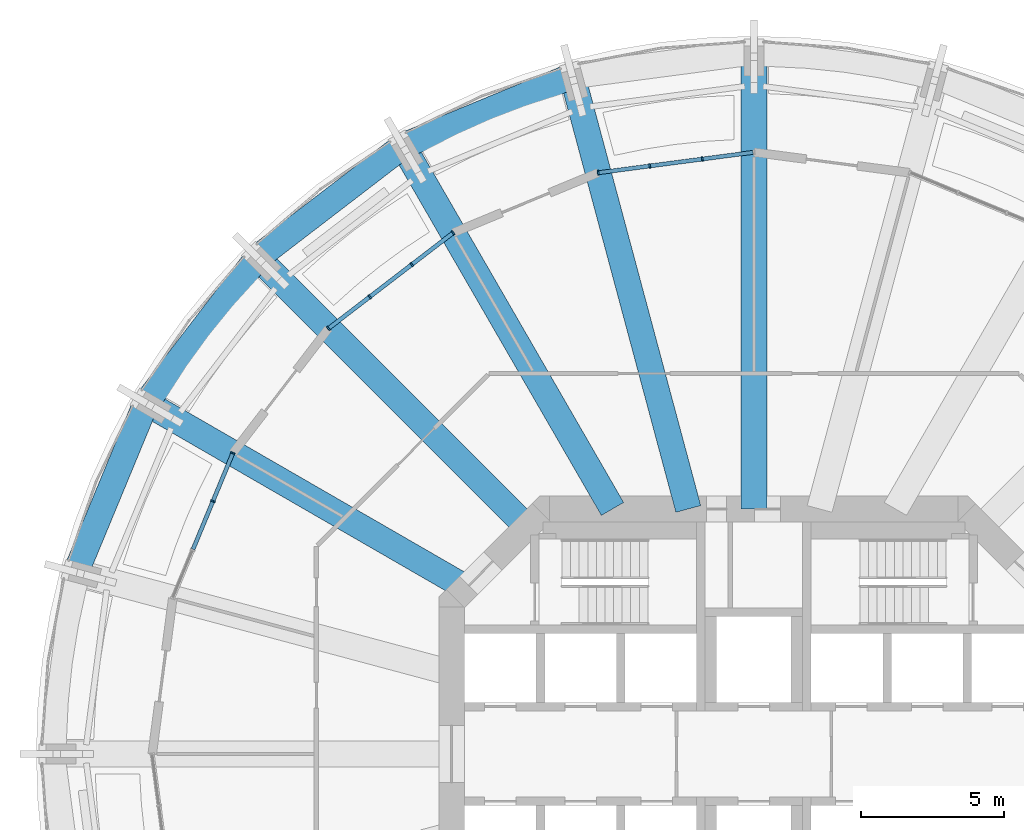
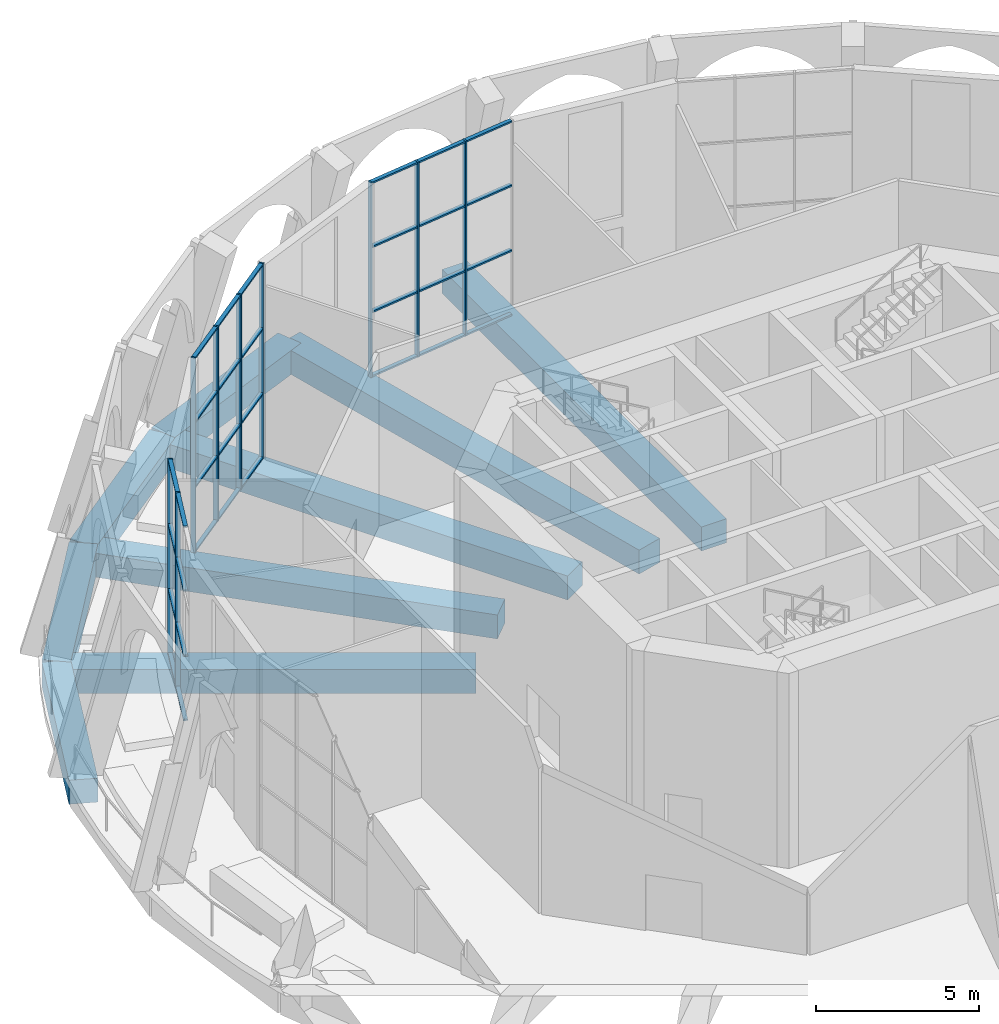
# One storey, part 6 of 18: 41 members, 9 beams, 3 elements without a shape of their own.
"""IFC4 building model written with IfcOpenShell, lengths in metres."""

from ifc_helpers import new_model, si_unit, direction, frame, origin, origin_2d, place, context, subcontext, project, spatial, rectangle, extrude, material, material_profile, profile_set, type_object, element, aggregate, save


model = new_model("IFC4")

# Units and contexts
model_context = context("Model", 3, precision=1e-05, world=origin(), true_north=direction((0.0, 1.0)))
body_context = subcontext(model_context, "Body", "Model", "MODEL_VIEW")
ifc_project = project(units=[si_unit("LENGTHUNIT", "METRE"), si_unit("AREAUNIT", "SQUARE_METRE"), si_unit("VOLUMEUNIT", "CUBIC_METRE"), si_unit("PLANEANGLEUNIT", "RADIAN"), si_unit("MASSUNIT", "GRAM", prefix="KILO")], contexts=[model_context])

# Site, building, storey
site_placement = place(None, origin())
site = spatial("IfcSite", under=ifc_project, at=site_placement, CompositionType="ELEMENT")
building_placement = place(site_placement, origin())
building = spatial("IfcBuilding", under=site, at=building_placement, Name="Torre Triforio", CompositionType="ELEMENT")
storey_placement = place(building_placement, frame((0.0, 0.0, 146.60009765625)))
storey = spatial("IfcBuildingStorey", under=building, at=storey_placement, Name="L33", CompositionType="ELEMENT", Elevation=146.60009765625)

# Curtain wall, members
ifc_material_1 = material(Name="Aluminium mullion and transom frame with clear laminated glass", Category="aluminium")
curtain_wall_type = type_object("IfcCurtainWallType", Name="Sky garden conservatory wall ECW3", PredefinedType="NOTDEFINED", material=ifc_material_1)
curtain_wall_1_placement = place(storey_placement, origin())
curtain_wall_1 = element("IfcCurtainWall", 1, at=curtain_wall_1_placement, inside=storey, type_object=curtain_wall_type, Name="Conservatory wall L33 bay 07", PredefinedType="NOTDEFINED")
ifc_material_2 = material(Name="Anodised aluminium extrusion", Category="aluminium")
ifc_material_profile_1 = material_profile(ifc_material_2, rectangle(XDim=0.159912109375, YDim=0.06005859375, at=origin_2d()), Name="ECW3 MULLION 60x160")
ifc_profile_set_1 = profile_set([ifc_material_profile_1], Name="Anodised aluminium extrusion")
member_type_1 = type_object("IfcMemberType", Name="ECW3 mullion 60 x 160", PredefinedType="MULLION", material=ifc_profile_set_1)
member_1_placement = place(storey_placement, frame((-1.8017578125, 20.7626953125, 0.0), z_axis=(0.0, 0.0, 1.0), x_axis=(0.130530127386, -0.991444343291, 0.0)))
member_1 = element("IfcMember", 2, at=member_1_placement, type_object=member_type_1, Name="ECW3 mullion 2", PredefinedType="MULLION", context=body_context, shape_type="SweptSolid", body=[
    extrude(rectangle(XDim=0.159912109375, YDim=0.06005859375, at=origin_2d()), origin(), (0.0, 0.0, 1.0), 7.31982421875),
])
member_2_placement = place(storey_placement, frame((-3.63330078125, 20.521728515625, 0.0), z_axis=(0.0, 0.0, 1.0), x_axis=(0.130530127386, -0.991444343291, 0.0)))
member_2 = element("IfcMember", 3, at=member_2_placement, type_object=member_type_1, Name="ECW3 mullion 3", PredefinedType="MULLION", context=body_context, shape_type="SweptSolid", body=[
    extrude(rectangle(XDim=0.159912109375, YDim=0.06005859375, at=origin_2d()), origin(), (0.0, 0.0, 1.0), 7.31982421875),
])
member_3_placement = place(storey_placement, frame((-5.43505859375, 20.284423828125, 0.0), z_axis=(0.0, 0.0, 1.0), x_axis=(0.130530127386, -0.991444343291, 0.0)))
member_3 = element("IfcMember", 4, at=member_3_placement, type_object=member_type_1, Name="ECW3 mullion 4", PredefinedType="MULLION", context=body_context, shape_type="SweptSolid", body=[
    extrude(rectangle(XDim=0.159912109375, YDim=0.06005859375, at=origin_2d()), origin(), (0.0, 0.0, 1.0), 7.31982421875),
])

curtain_wall_2_placement = place(storey_placement, origin())
curtain_wall_2 = element("IfcCurtainWall", 5, at=curtain_wall_2_placement, inside=storey, type_object=curtain_wall_type, Name="Conservatory wall L33 bay 09", PredefinedType="NOTDEFINED")
member_4_placement = place(storey_placement, frame((-10.5, 18.1865234375, 0.0), z_axis=(0.0, 0.0, 1.0), x_axis=(0.608763325538, -0.793351885029, 0.0)))
member_4 = element("IfcMember", 6, at=member_4_placement, type_object=member_type_1, Name="ECW3 mullion 1", PredefinedType="MULLION", context=body_context, shape_type="SweptSolid", body=[
    extrude(rectangle(XDim=0.159912109375, YDim=0.06005859375, at=origin_2d()), origin(), (0.0, 0.0, 1.0), 7.31982421875),
])
member_5_placement = place(storey_placement, frame((-11.94189453125, 17.080078125, 0.0), z_axis=(0.0, 0.0, 1.0), x_axis=(0.608763325538, -0.793351885029, 0.0)))
member_5 = element("IfcMember", 7, at=member_5_placement, type_object=member_type_1, Name="ECW3 mullion 2", PredefinedType="MULLION", context=body_context, shape_type="SweptSolid", body=[
    extrude(rectangle(XDim=0.159912109375, YDim=0.06005859375, at=origin_2d()), origin(), (0.0, 0.0, 1.0), 7.31982421875),
])
member_6_placement = place(storey_placement, frame((-13.407470703125, 15.95556640625, 0.0), z_axis=(0.0, 0.0, 1.0), x_axis=(0.608763325538, -0.793351885029, 0.0)))
member_6 = element("IfcMember", 8, at=member_6_placement, type_object=member_type_1, Name="ECW3 mullion 3", PredefinedType="MULLION", context=body_context, shape_type="SweptSolid", body=[
    extrude(rectangle(XDim=0.159912109375, YDim=0.06005859375, at=origin_2d()), origin(), (0.0, 0.0, 1.0), 7.31982421875),
])
member_7_placement = place(storey_placement, frame((-14.84912109375, 14.849365234375, 0.0), z_axis=(0.0, 0.0, 1.0), x_axis=(0.608763325538, -0.793351885029, 0.0)))
member_7 = element("IfcMember", 9, at=member_7_placement, type_object=member_type_1, Name="ECW3 mullion 4", PredefinedType="MULLION", context=body_context, shape_type="SweptSolid", body=[
    extrude(rectangle(XDim=0.159912109375, YDim=0.06005859375, at=origin_2d()), origin(), (0.0, 0.0, 1.0), 7.31982421875),
])

curtain_wall_3_placement = place(storey_placement, origin())
curtain_wall_3 = element("IfcCurtainWall", 10, at=curtain_wall_3_placement, inside=storey, type_object=curtain_wall_type, Name="Conservatory wall L33 bay 11", PredefinedType="NOTDEFINED")
member_8_placement = place(storey_placement, frame((-18.1865234375, 10.5, 0.0), z_axis=(0.0, 0.0, 1.0), x_axis=(0.923883122974, -0.382674764107, 0.0)))
member_8 = element("IfcMember", 11, at=member_8_placement, type_object=member_type_1, Name="ECW3 mullion 1", PredefinedType="MULLION", context=body_context, shape_type="SweptSolid", body=[
    extrude(rectangle(XDim=0.159912109375, YDim=0.06005859375, at=origin_2d()), origin(), (0.0, 0.0, 1.0), 7.31982421875),
])
member_9_placement = place(storey_placement, frame((-18.882080078125, 8.821044921875, 0.0), z_axis=(0.0, 0.0, 1.0), x_axis=(0.923883122974, -0.382674764107, 0.0)))
member_9 = element("IfcMember", 12, at=member_9_placement, type_object=member_type_1, Name="ECW3 mullion 2", PredefinedType="MULLION", context=body_context, shape_type="SweptSolid", body=[
    extrude(rectangle(XDim=0.159912109375, YDim=0.06005859375, at=origin_2d()), origin(), (0.0, 0.0, 1.0), 7.31982421875),
])

# Member
ifc_material_profile_2 = material_profile(ifc_material_2, rectangle(XDim=0.139892578125, YDim=0.06005859375, at=origin_2d()), Name="ECW3 TRANSOM 60x140")
ifc_profile_set_2 = profile_set([ifc_material_profile_2], Name="Anodised aluminium extrusion")
member_type_2 = type_object("IfcMemberType", Name="ECW3 transom 60 x 140", PredefinedType="USERDEFINED", material=ifc_profile_set_2)
member_10_placement = place(storey_placement, frame((-0.02978515625, 20.99609375, 0.02978515625), z_axis=(-0.991435369623, -0.130598268981, 0.0), x_axis=(0.130598268981, -0.991435369623, 0.0)))
member_10 = element("IfcMember", 13, at=member_10_placement, type_object=member_type_2, Name="ECW3 transom 1.1", ObjectType="TRANSOM", PredefinedType="USERDEFINED", context=body_context, shape_type="SweptSolid", body=[
    extrude(rectangle(XDim=0.139892578125, YDim=0.06005859375, at=origin_2d()), origin(), (0.0, 0.0, 1.0), 1.75732421875),
])

member_11_placement = place(storey_placement, frame((-0.02978515625, 20.99609375, 2.43994140625), z_axis=(-0.991435369623, -0.130598268981, 0.0), x_axis=(0.130598268981, -0.991435369623, 0.0)))
member_11 = element("IfcMember", 14, at=member_11_placement, type_object=member_type_2, Name="ECW3 transom 1.2", ObjectType="TRANSOM", PredefinedType="USERDEFINED", context=body_context, shape_type="SweptSolid", body=[
    extrude(rectangle(XDim=0.139892578125, YDim=0.06005859375, at=origin_2d()), origin(), (0.0, 0.0, 1.0), 1.75732421875),
])

member_12_placement = place(storey_placement, frame((-0.02978515625, 20.99609375, 4.8798828125), z_axis=(-0.991435369623, -0.130598268981, 0.0), x_axis=(0.130598268981, -0.991435369623, 0.0)))
member_12 = element("IfcMember", 15, at=member_12_placement, type_object=member_type_2, Name="ECW3 transom 1.3", ObjectType="TRANSOM", PredefinedType="USERDEFINED", context=body_context, shape_type="SweptSolid", body=[
    extrude(rectangle(XDim=0.139892578125, YDim=0.06005859375, at=origin_2d()), origin(), (0.0, 0.0, 1.0), 1.75732421875),
])

member_13_placement = place(storey_placement, frame((-0.02978515625, 20.99609375, 7.289794921875), z_axis=(-0.991435369623, -0.130598268981, 0.0), x_axis=(0.130598268981, -0.991435369623, 0.0)))
member_13 = element("IfcMember", 16, at=member_13_placement, type_object=member_type_2, Name="ECW3 transom 1.4", ObjectType="TRANSOM", PredefinedType="USERDEFINED", context=body_context, shape_type="SweptSolid", body=[
    extrude(rectangle(XDim=0.139892578125, YDim=0.06005859375, at=origin_2d()), origin(), (0.0, 0.0, 1.0), 1.75732421875),
])

member_14_placement = place(storey_placement, frame((-1.83154296875, 20.7587890625, 0.02978515625), z_axis=(-0.991454295543, -0.130454512571, 0.0), x_axis=(0.130454512571, -0.991454295543, 0.0)))
member_14 = element("IfcMember", 17, at=member_14_placement, type_object=member_type_2, Name="ECW3 transom 2.1", ObjectType="TRANSOM", PredefinedType="USERDEFINED", context=body_context, shape_type="SweptSolid", body=[
    extrude(rectangle(XDim=0.139892578125, YDim=0.06005859375, at=origin_2d()), origin(), (0.0, 0.0, 1.0), 1.787353515625),
])

member_15_placement = place(storey_placement, frame((-1.83154296875, 20.7587890625, 2.43994140625), z_axis=(-0.991454295543, -0.130454512571, 0.0), x_axis=(0.130454512571, -0.991454295543, 0.0)))
member_15 = element("IfcMember", 18, at=member_15_placement, type_object=member_type_2, Name="ECW3 transom 2.2", ObjectType="TRANSOM", PredefinedType="USERDEFINED", context=body_context, shape_type="SweptSolid", body=[
    extrude(rectangle(XDim=0.139892578125, YDim=0.06005859375, at=origin_2d()), origin(), (0.0, 0.0, 1.0), 1.787353515625),
])

member_16_placement = place(storey_placement, frame((-1.83154296875, 20.7587890625, 4.8798828125), z_axis=(-0.991454295543, -0.130454512571, 0.0), x_axis=(0.130454512571, -0.991454295543, 0.0)))
member_16 = element("IfcMember", 19, at=member_16_placement, type_object=member_type_2, Name="ECW3 transom 2.3", ObjectType="TRANSOM", PredefinedType="USERDEFINED", context=body_context, shape_type="SweptSolid", body=[
    extrude(rectangle(XDim=0.139892578125, YDim=0.06005859375, at=origin_2d()), origin(), (0.0, 0.0, 1.0), 1.787353515625),
])

member_17_placement = place(storey_placement, frame((-1.83154296875, 20.7587890625, 7.289794921875), z_axis=(-0.991454295543, -0.130454512571, 0.0), x_axis=(0.130454512571, -0.991454295543, 0.0)))
member_17 = element("IfcMember", 20, at=member_17_placement, type_object=member_type_2, Name="ECW3 transom 2.4", ObjectType="TRANSOM", PredefinedType="USERDEFINED", context=body_context, shape_type="SweptSolid", body=[
    extrude(rectangle(XDim=0.139892578125, YDim=0.06005859375, at=origin_2d()), origin(), (0.0, 0.0, 1.0), 1.787353515625),
])

member_18_placement = place(storey_placement, frame((-3.6630859375, 20.517822265625, 0.02978515625), z_axis=(-0.991437738784, -0.130580282255, 0.0), x_axis=(0.130580282255, -0.991437738784, 0.0)))
member_18 = element("IfcMember", 21, at=member_18_placement, type_object=member_type_2, Name="ECW3 transom 3.1", ObjectType="TRANSOM", PredefinedType="USERDEFINED", context=body_context, shape_type="SweptSolid", body=[
    extrude(rectangle(XDim=0.139892578125, YDim=0.06005859375, at=origin_2d()), origin(), (0.0, 0.0, 1.0), 1.757568359375),
])

member_19_placement = place(storey_placement, frame((-3.6630859375, 20.517822265625, 2.43994140625), z_axis=(-0.991437738784, -0.130580282255, 0.0), x_axis=(0.130580282255, -0.991437738784, 0.0)))
member_19 = element("IfcMember", 22, at=member_19_placement, type_object=member_type_2, Name="ECW3 transom 3.2", ObjectType="TRANSOM", PredefinedType="USERDEFINED", context=body_context, shape_type="SweptSolid", body=[
    extrude(rectangle(XDim=0.139892578125, YDim=0.06005859375, at=origin_2d()), origin(), (0.0, 0.0, 1.0), 1.757568359375),
])

member_20_placement = place(storey_placement, frame((-3.6630859375, 20.517822265625, 4.8798828125), z_axis=(-0.991437738784, -0.130580282255, 0.0), x_axis=(0.130580282255, -0.991437738784, 0.0)))
member_20 = element("IfcMember", 23, at=member_20_placement, type_object=member_type_2, Name="ECW3 transom 3.3", ObjectType="TRANSOM", PredefinedType="USERDEFINED", context=body_context, shape_type="SweptSolid", body=[
    extrude(rectangle(XDim=0.139892578125, YDim=0.06005859375, at=origin_2d()), origin(), (0.0, 0.0, 1.0), 1.757568359375),
])

member_21_placement = place(storey_placement, frame((-3.6630859375, 20.517822265625, 7.289794921875), z_axis=(-0.991437738784, -0.130580282255, 0.0), x_axis=(0.130580282255, -0.991437738784, 0.0)))
member_21 = element("IfcMember", 24, at=member_21_placement, type_object=member_type_2, Name="ECW3 transom 3.4", ObjectType="TRANSOM", PredefinedType="USERDEFINED", context=body_context, shape_type="SweptSolid", body=[
    extrude(rectangle(XDim=0.139892578125, YDim=0.06005859375, at=origin_2d()), origin(), (0.0, 0.0, 1.0), 1.757568359375),
])

aggregate(curtain_wall_1, [member_1, member_2, member_3, member_10, member_11, member_12, member_13, member_14, member_15, member_16, member_17, member_18, member_19, member_20, member_21])

member_22_placement = place(storey_placement, frame((-10.523681640625, 18.168212890625, 0.02978515625), z_axis=(-0.793367055756, -0.60874355425, 0.0), x_axis=(0.60874355425, -0.793367055756, 0.0)))
member_22 = element("IfcMember", 25, at=member_22_placement, type_object=member_type_2, Name="ECW3 transom 1.1", ObjectType="TRANSOM", PredefinedType="USERDEFINED", context=body_context, shape_type="SweptSolid", body=[
    extrude(rectangle(XDim=0.139892578125, YDim=0.06005859375, at=origin_2d()), origin(), (0.0, 0.0, 1.0), 1.75732421875),
])

member_23_placement = place(storey_placement, frame((-10.523681640625, 18.168212890625, 2.43994140625), z_axis=(-0.793367055756, -0.60874355425, 0.0), x_axis=(0.60874355425, -0.793367055756, 0.0)))
member_23 = element("IfcMember", 26, at=member_23_placement, type_object=member_type_2, Name="ECW3 transom 1.2", ObjectType="TRANSOM", PredefinedType="USERDEFINED", context=body_context, shape_type="SweptSolid", body=[
    extrude(rectangle(XDim=0.139892578125, YDim=0.06005859375, at=origin_2d()), origin(), (0.0, 0.0, 1.0), 1.75732421875),
])

member_24_placement = place(storey_placement, frame((-10.523681640625, 18.168212890625, 4.8798828125), z_axis=(-0.793367055756, -0.60874355425, 0.0), x_axis=(0.60874355425, -0.793367055756, 0.0)))
member_24 = element("IfcMember", 27, at=member_24_placement, type_object=member_type_2, Name="ECW3 transom 1.3", ObjectType="TRANSOM", PredefinedType="USERDEFINED", context=body_context, shape_type="SweptSolid", body=[
    extrude(rectangle(XDim=0.139892578125, YDim=0.06005859375, at=origin_2d()), origin(), (0.0, 0.0, 1.0), 1.75732421875),
])

member_25_placement = place(storey_placement, frame((-10.523681640625, 18.168212890625, 7.289794921875), z_axis=(-0.793367055756, -0.60874355425, 0.0), x_axis=(0.60874355425, -0.793367055756, 0.0)))
member_25 = element("IfcMember", 28, at=member_25_placement, type_object=member_type_2, Name="ECW3 transom 1.4", ObjectType="TRANSOM", PredefinedType="USERDEFINED", context=body_context, shape_type="SweptSolid", body=[
    extrude(rectangle(XDim=0.139892578125, YDim=0.06005859375, at=origin_2d()), origin(), (0.0, 0.0, 1.0), 1.75732421875),
])

member_26_placement = place(storey_placement, frame((-11.965576171875, 17.06201171875, 0.02978515625), z_axis=(-0.793329270588, -0.608792795973, 0.0), x_axis=(0.608792795973, -0.793329270588, 0.0)))
member_26 = element("IfcMember", 29, at=member_26_placement, type_object=member_type_2, Name="ECW3 transom 2.1", ObjectType="TRANSOM", PredefinedType="USERDEFINED", context=body_context, shape_type="SweptSolid", body=[
    extrude(rectangle(XDim=0.139892578125, YDim=0.06005859375, at=origin_2d()), origin(), (0.0, 0.0, 1.0), 1.787353515625),
])

member_27_placement = place(storey_placement, frame((-11.965576171875, 17.06201171875, 2.43994140625), z_axis=(-0.793329270588, -0.608792795973, 0.0), x_axis=(0.608792795973, -0.793329270588, 0.0)))
member_27 = element("IfcMember", 30, at=member_27_placement, type_object=member_type_2, Name="ECW3 transom 2.2", ObjectType="TRANSOM", PredefinedType="USERDEFINED", context=body_context, shape_type="SweptSolid", body=[
    extrude(rectangle(XDim=0.139892578125, YDim=0.06005859375, at=origin_2d()), origin(), (0.0, 0.0, 1.0), 1.787353515625),
])

member_28_placement = place(storey_placement, frame((-11.965576171875, 17.06201171875, 4.8798828125), z_axis=(-0.793329270588, -0.608792795973, 0.0), x_axis=(0.608792795973, -0.793329270588, 0.0)))
member_28 = element("IfcMember", 31, at=member_28_placement, type_object=member_type_2, Name="ECW3 transom 2.3", ObjectType="TRANSOM", PredefinedType="USERDEFINED", context=body_context, shape_type="SweptSolid", body=[
    extrude(rectangle(XDim=0.139892578125, YDim=0.06005859375, at=origin_2d()), origin(), (0.0, 0.0, 1.0), 1.787353515625),
])

member_29_placement = place(storey_placement, frame((-11.965576171875, 17.06201171875, 7.289794921875), z_axis=(-0.793329270588, -0.608792795973, 0.0), x_axis=(0.608792795973, -0.793329270588, 0.0)))
member_29 = element("IfcMember", 32, at=member_29_placement, type_object=member_type_2, Name="ECW3 transom 2.4", ObjectType="TRANSOM", PredefinedType="USERDEFINED", context=body_context, shape_type="SweptSolid", body=[
    extrude(rectangle(XDim=0.139892578125, YDim=0.06005859375, at=origin_2d()), origin(), (0.0, 0.0, 1.0), 1.787353515625),
])

member_30_placement = place(storey_placement, frame((-13.43115234375, 15.937255859375, 0.02978515625), z_axis=(-0.793367055756, -0.60874355425, 0.0), x_axis=(0.60874355425, -0.793367055756, 0.0)))
member_30 = element("IfcMember", 33, at=member_30_placement, type_object=member_type_2, Name="ECW3 transom 3.1", ObjectType="TRANSOM", PredefinedType="USERDEFINED", context=body_context, shape_type="SweptSolid", body=[
    extrude(rectangle(XDim=0.139892578125, YDim=0.06005859375, at=origin_2d()), origin(), (0.0, 0.0, 1.0), 1.75732421875),
])

member_31_placement = place(storey_placement, frame((-13.43115234375, 15.937255859375, 2.43994140625), z_axis=(-0.793367055756, -0.60874355425, 0.0), x_axis=(0.60874355425, -0.793367055756, 0.0)))
member_31 = element("IfcMember", 34, at=member_31_placement, type_object=member_type_2, Name="ECW3 transom 3.2", ObjectType="TRANSOM", PredefinedType="USERDEFINED", context=body_context, shape_type="SweptSolid", body=[
    extrude(rectangle(XDim=0.139892578125, YDim=0.06005859375, at=origin_2d()), origin(), (0.0, 0.0, 1.0), 1.75732421875),
])

member_32_placement = place(storey_placement, frame((-13.43115234375, 15.937255859375, 4.8798828125), z_axis=(-0.793367055756, -0.60874355425, 0.0), x_axis=(0.60874355425, -0.793367055756, 0.0)))
member_32 = element("IfcMember", 35, at=member_32_placement, type_object=member_type_2, Name="ECW3 transom 3.3", ObjectType="TRANSOM", PredefinedType="USERDEFINED", context=body_context, shape_type="SweptSolid", body=[
    extrude(rectangle(XDim=0.139892578125, YDim=0.06005859375, at=origin_2d()), origin(), (0.0, 0.0, 1.0), 1.75732421875),
])

member_33_placement = place(storey_placement, frame((-13.43115234375, 15.937255859375, 7.289794921875), z_axis=(-0.793367055756, -0.60874355425, 0.0), x_axis=(0.60874355425, -0.793367055756, 0.0)))
member_33 = element("IfcMember", 36, at=member_33_placement, type_object=member_type_2, Name="ECW3 transom 3.4", ObjectType="TRANSOM", PredefinedType="USERDEFINED", context=body_context, shape_type="SweptSolid", body=[
    extrude(rectangle(XDim=0.139892578125, YDim=0.06005859375, at=origin_2d()), origin(), (0.0, 0.0, 1.0), 1.75732421875),
])

aggregate(curtain_wall_2, [member_4, member_5, member_6, member_7, member_22, member_23, member_24, member_25, member_26, member_27, member_28, member_29, member_30, member_31, member_32, member_33])

member_34_placement = place(storey_placement, frame((-18.197998046875, 10.47216796875, 0.02978515625), z_axis=(-0.38274032778, -0.923855963606, 0.0), x_axis=(0.923855963606, -0.38274032778, 0.0)))
member_34 = element("IfcMember", 37, at=member_34_placement, type_object=member_type_2, Name="ECW3 transom 1.1", ObjectType="TRANSOM", PredefinedType="USERDEFINED", context=body_context, shape_type="SweptSolid", body=[
    extrude(rectangle(XDim=0.139892578125, YDim=0.06005859375, at=origin_2d()), origin(), (0.0, 0.0, 1.0), 1.75732421875),
])

member_35_placement = place(storey_placement, frame((-18.197998046875, 10.47216796875, 2.43994140625), z_axis=(-0.38274032778, -0.923855963606, 0.0), x_axis=(0.923855963606, -0.38274032778, 0.0)))
member_35 = element("IfcMember", 38, at=member_35_placement, type_object=member_type_2, Name="ECW3 transom 1.2", ObjectType="TRANSOM", PredefinedType="USERDEFINED", context=body_context, shape_type="SweptSolid", body=[
    extrude(rectangle(XDim=0.139892578125, YDim=0.06005859375, at=origin_2d()), origin(), (0.0, 0.0, 1.0), 1.75732421875),
])

member_36_placement = place(storey_placement, frame((-18.197998046875, 10.47216796875, 4.8798828125), z_axis=(-0.38274032778, -0.923855963606, 0.0), x_axis=(0.923855963606, -0.38274032778, 0.0)))
member_36 = element("IfcMember", 39, at=member_36_placement, type_object=member_type_2, Name="ECW3 transom 1.3", ObjectType="TRANSOM", PredefinedType="USERDEFINED", context=body_context, shape_type="SweptSolid", body=[
    extrude(rectangle(XDim=0.139892578125, YDim=0.06005859375, at=origin_2d()), origin(), (0.0, 0.0, 1.0), 1.75732421875),
])

member_37_placement = place(storey_placement, frame((-18.197998046875, 10.47216796875, 7.289794921875), z_axis=(-0.38274032778, -0.923855963606, 0.0), x_axis=(0.923855963606, -0.38274032778, 0.0)))
member_37 = element("IfcMember", 40, at=member_37_placement, type_object=member_type_2, Name="ECW3 transom 1.4", ObjectType="TRANSOM", PredefinedType="USERDEFINED", context=body_context, shape_type="SweptSolid", body=[
    extrude(rectangle(XDim=0.139892578125, YDim=0.06005859375, at=origin_2d()), origin(), (0.0, 0.0, 1.0), 1.75732421875),
])

member_38_placement = place(storey_placement, frame((-18.8935546875, 8.793212890625, 0.02978515625), z_axis=(-0.382597092023, -0.923915291126, 0.0), x_axis=(0.923915291126, -0.382597092023, 0.0)))
member_38 = element("IfcMember", 41, at=member_38_placement, type_object=member_type_2, Name="ECW3 transom 2.1", ObjectType="TRANSOM", PredefinedType="USERDEFINED", context=body_context, shape_type="SweptSolid", body=[
    extrude(rectangle(XDim=0.139892578125, YDim=0.06005859375, at=origin_2d()), origin(), (0.0, 0.0, 1.0), 1.787353515625),
])

member_39_placement = place(storey_placement, frame((-18.8935546875, 8.793212890625, 2.43994140625), z_axis=(-0.382597092023, -0.923915291126, 0.0), x_axis=(0.923915291126, -0.382597092023, 0.0)))
member_39 = element("IfcMember", 42, at=member_39_placement, type_object=member_type_2, Name="ECW3 transom 2.2", ObjectType="TRANSOM", PredefinedType="USERDEFINED", context=body_context, shape_type="SweptSolid", body=[
    extrude(rectangle(XDim=0.139892578125, YDim=0.06005859375, at=origin_2d()), origin(), (0.0, 0.0, 1.0), 1.787353515625),
])

member_40_placement = place(storey_placement, frame((-18.8935546875, 8.793212890625, 4.8798828125), z_axis=(-0.382597092023, -0.923915291126, 0.0), x_axis=(0.923915291126, -0.382597092023, 0.0)))
member_40 = element("IfcMember", 43, at=member_40_placement, type_object=member_type_2, Name="ECW3 transom 2.3", ObjectType="TRANSOM", PredefinedType="USERDEFINED", context=body_context, shape_type="SweptSolid", body=[
    extrude(rectangle(XDim=0.139892578125, YDim=0.06005859375, at=origin_2d()), origin(), (0.0, 0.0, 1.0), 1.787353515625),
])

member_41_placement = place(storey_placement, frame((-18.8935546875, 8.793212890625, 7.289794921875), z_axis=(-0.382597092023, -0.923915291126, 0.0), x_axis=(0.923915291126, -0.382597092023, 0.0)))
member_41 = element("IfcMember", 44, at=member_41_placement, type_object=member_type_2, Name="ECW3 transom 2.4", ObjectType="TRANSOM", PredefinedType="USERDEFINED", context=body_context, shape_type="SweptSolid", body=[
    extrude(rectangle(XDim=0.139892578125, YDim=0.06005859375, at=origin_2d()), origin(), (0.0, 0.0, 1.0), 1.787353515625),
])

aggregate(curtain_wall_3, [member_8, member_9, member_34, member_35, member_36, member_37, member_38, member_39, member_40, member_41])

# Beams
ifc_material_3 = material(Name="Concrete C50", Category="concrete")
ifc_material_profile_3 = material_profile(ifc_material_3, rectangle(XDim=0.89990234375, YDim=0.89990234375, at=origin_2d()), Name="RC 900x900")
ifc_profile_set_3 = profile_set([ifc_material_profile_3], Name="Concrete C50")
beam_type_1 = type_object("IfcBeamType", Name="Radial beam RC 900x900 C50", PredefinedType="BEAM", material=ifc_profile_set_3)
beam_1_placement = place(storey_placement, frame((0.0, 8.550048828125, -0.72998046875), z_axis=(0.0, 1.0, 0.0), x_axis=(-1.0, 0.0, 0.0)))
element("IfcBeam", 45, at=beam_1_placement, inside=storey, type_object=beam_type_1, Name="BM.R.L33.06", PredefinedType="BEAM", context=body_context, shape_type="SweptSolid", body=[
    extrude(rectangle(XDim=0.89990234375, YDim=0.89990234375, at=origin_2d()), origin(), (0.0, 0.0, 1.0), 15.949951171875),
])
beam_2_placement = place(storey_placement, frame((-2.291015625, 8.550048828125, -0.72998046875), z_axis=(-0.258815108997, 0.965926880957, 0.0), x_axis=(-0.965926880957, -0.258815108997, 0.0)))
element("IfcBeam", 46, at=beam_2_placement, inside=storey, type_object=beam_type_1, Name="BM.R.L33.07", PredefinedType="BEAM", context=body_context, shape_type="SweptSolid", body=[
    extrude(rectangle(XDim=0.89990234375, YDim=0.89990234375, at=origin_2d()), origin(), (0.0, 0.0, 1.0), 15.6484375),
])
beam_3_placement = place(storey_placement, frame((-4.936279296875, 8.550048828125, -0.72998046875), z_axis=(-0.500007560092, 0.86602103892, 0.0), x_axis=(-0.86602103892, -0.500007560092, 0.0)))
element("IfcBeam", 47, at=beam_3_placement, inside=storey, type_object=beam_type_1, Name="BM.R.L33.08", PredefinedType="BEAM", context=body_context, shape_type="SweptSolid", body=[
    extrude(rectangle(XDim=0.89990234375, YDim=0.89990234375, at=origin_2d()), origin(), (0.0, 0.0, 1.0), 14.627197265625),
])
beam_4_placement = place(storey_placement, frame((-7.918212890625, 7.918212890625, -0.72998046875), z_axis=(-0.707106781187, 0.707106781187, 0.0), x_axis=(-0.707106781187, -0.707106781187, 0.0)))
element("IfcBeam", 48, at=beam_4_placement, inside=storey, type_object=beam_type_1, Name="BM.R.L33.09", PredefinedType="BEAM", context=body_context, shape_type="SweptSolid", body=[
    extrude(rectangle(XDim=0.89990234375, YDim=0.89990234375, at=origin_2d()), origin(), (0.0, 0.0, 1.0), 13.302001953125),
])
beam_5_placement = place(storey_placement, frame((-10.039794921875, 5.796630859375, -0.72998046875), z_axis=(-0.866028718729, 0.499994258303, 0.0), x_axis=(-0.499994258303, -0.866028718729, 0.0)))
element("IfcBeam", 49, at=beam_5_placement, inside=storey, type_object=beam_type_1, Name="BM.R.L33.10", PredefinedType="BEAM", context=body_context, shape_type="SweptSolid", body=[
    extrude(rectangle(XDim=0.89990234375, YDim=0.89990234375, at=origin_2d()), origin(), (0.0, 0.0, 1.0), 12.906982421875),
])
ifc_material_profile_4 = material_profile(ifc_material_3, rectangle(XDim=0.89990234375, YDim=0.89990234375, at=origin_2d()), Name="RC 900x900")
ifc_profile_set_4 = profile_set([ifc_material_profile_4], Name="Concrete C50")
beam_type_2 = type_object("IfcBeamType", Name="Spandrel beam RC 900x900 C50", PredefinedType="SPANDREL", material=ifc_profile_set_4)
for number, where, z_axis, x_axis, name in (
    (50, (-6.341064453125, 23.665283203125, -0.72998046875), (-0.923868882006, -0.382709143949, 0.0), (0.382709143949, -0.923868882006, 0.0), "BM.S.L33.07"),
    (51, (-12.25, 21.217529296875, -0.72998046875), (-0.79337406388, -0.60873442055, 0.0), (0.60873442055, -0.79337406388, 0.0), "BM.S.L33.08"),
    (52, (-17.32421875, 17.32421875, -0.72998046875), (-0.60873442055, -0.79337406388, 0.0), (0.79337406388, -0.60873442055, 0.0), "BM.S.L33.09"),
    (53, (-21.217529296875, 12.25, -0.72998046875), (-0.382709143949, -0.923868882006, 0.0), (0.923868882006, -0.382709143949, 0.0), "BM.S.L33.10"),
):
    element("IfcBeam", number, at=place(storey_placement, frame(where, z_axis=z_axis, x_axis=x_axis)), inside=storey, type_object=beam_type_2, Name=name, PredefinedType="SPANDREL", context=body_context, shape_type="SweptSolid", body=[
        extrude(rectangle(XDim=0.89990234375, YDim=0.89990234375, at=origin_2d()), origin(), (0.0, 0.0, 1.0), 6.395751953125),
    ])

save(model, "model.ifc")
